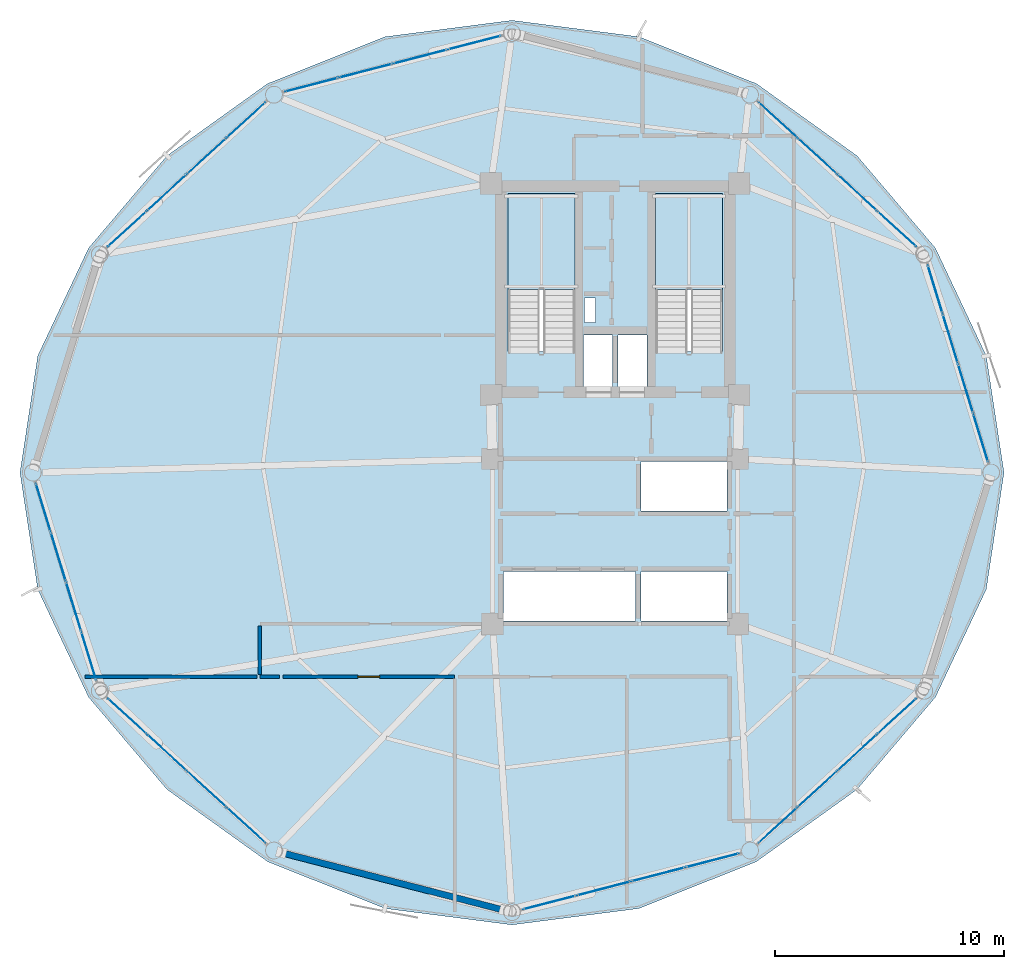
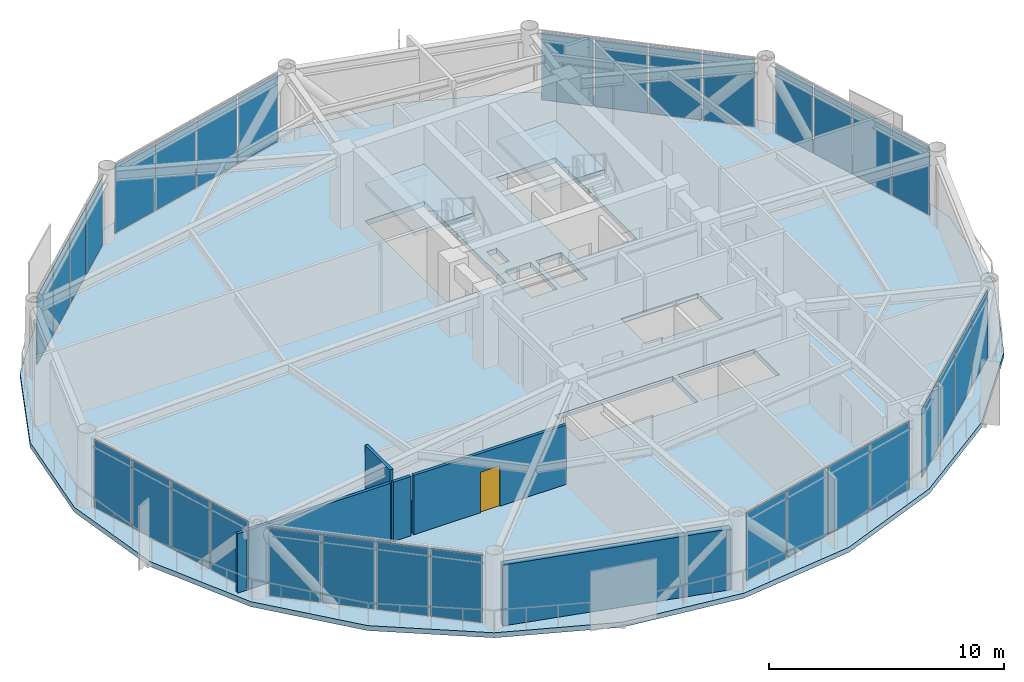
# One storey, part 21 of 27: 32 plates, 5 walls, 3 slabs, 1 door, 1 opening, 10 elements without a shape of their own.
"""IFC4 building model written with IfcOpenShell, lengths in metres."""

from ifc_helpers import new_model, si_unit, direction, frame, frame_2d, origin, origin_2d, place, context, subcontext, project, spatial, polyline, rectangle, outline, extrude, source, transform, mapped, material, layer, layer_set, type_object, type_shapes, element, fill, aggregate, save


model = new_model("IFC4")

# Units and contexts
model_context = context("Model", 3, precision=1e-05, world=origin(), true_north=direction((0.0, 1.0)))
body_context = subcontext(model_context, "Body", "Model", "MODEL_VIEW")
ifc_project = project(units=[si_unit("LENGTHUNIT", "METRE"), si_unit("AREAUNIT", "SQUARE_METRE"), si_unit("VOLUMEUNIT", "CUBIC_METRE"), si_unit("PLANEANGLEUNIT", "RADIAN"), si_unit("MASSUNIT", "GRAM", prefix="KILO")], contexts=[model_context])

# Site, building, storey
site_placement = place(None, origin())
site = spatial("IfcSite", under=ifc_project, at=site_placement, CompositionType="ELEMENT")
building_placement = place(site_placement, origin())
building = spatial("IfcBuilding", under=site, at=building_placement, Name="Varnakorn Sky Granary", CompositionType="ELEMENT")
storey_placement = place(building_placement, frame((0.0, 0.0, 142.199951171875)))
storey = spatial("IfcBuildingStorey", under=building, at=storey_placement, Name="L35", CompositionType="ELEMENT", Elevation=142.199951171875)

# Stair, slab
ifc_material_1 = material(Name="Concrete C40/50", Category="concrete")
stair_type = type_object("IfcStairType", Name="ST-MAIN-ASSEMBLY", PredefinedType="HALF_TURN_STAIR", material=ifc_material_1)
stair_1_placement = place(storey_placement, origin())
stair_1 = element("IfcStair", 1, at=stair_1_placement, inside=storey, type_object=stair_type, Name="L35 Protected Exit Stair ST-1", PredefinedType="HALF_TURN_STAIR")
ifc_layer_1 = layer(ifc_material_1, 0.199951171875, Name="Concrete C40/50")
ifc_layer_set_1 = layer_set([ifc_layer_1], Name="Concrete C40/50")
slab_type_1 = type_object("IfcSlabType", Name="ST-MAIN-LAND", PredefinedType="LANDING", material=ifc_layer_set_1)
slab_1_placement = place(storey_placement, frame((0.0, 0.0, 1.75)))
slab_1 = element("IfcSlab", 2, at=slab_1_placement, type_object=slab_type_1, Name="ST-1 landing 1", PredefinedType="LANDING", context=body_context, shape_type="SweptSolid", body=[
    extrude(outline(polyline([(1.239990234375, 8.0), (1.239990234375, 12.179931640625), (-1.669921875, 12.179931640625), (-1.669921875, 8.0), (1.239990234375, 8.0)])), origin(), (0.0, 0.0, 1.0), 0.199951171875),
])
aggregate(stair_1, [slab_1])

stair_2_placement = place(storey_placement, origin())
stair_2 = element("IfcStair", 3, at=stair_2_placement, inside=storey, type_object=stair_type, Name="L35 Protected Exit Stair ST-2", PredefinedType="HALF_TURN_STAIR")
slab_2_placement = place(storey_placement, frame((0.0, 0.0, 1.75)))
slab_2 = element("IfcSlab", 4, at=slab_2_placement, type_object=slab_type_1, Name="ST-2 landing 1", PredefinedType="LANDING", context=body_context, shape_type="SweptSolid", body=[
    extrude(outline(polyline([(7.679931640625, 8.0), (7.679931640625, 12.179931640625), (4.77001953125, 12.179931640625), (4.77001953125, 8.0), (7.679931640625, 8.0)])), origin(), (0.0, 0.0, 1.0), 0.199951171875),
])
aggregate(stair_2, [slab_2])

# Slab
ifc_material_2 = material(Name="Concrete C50/60", Category="concrete")
ifc_layer_2 = layer(ifc_material_2, 0.260009765625, Name="Concrete C50/60")
ifc_layer_set_2 = layer_set([ifc_layer_2], Name="Concrete C50/60")
slab_type_2 = type_object("IfcSlabType", Name="ST-SL-TWR-260", PredefinedType="FLOOR", material=ifc_layer_set_2)
slab_3_placement = place(storey_placement, frame((0.0, 0.0, -0.260009765625)))
element("IfcSlab", 5, at=slab_3_placement, inside=storey, type_object=slab_type_2, Name="Level L35 Structural Floor Slab", PredefinedType="FLOOR", context=body_context, shape_type="SweptSolid", body=[
    extrude(outline(polyline([(19.967041015625, 0.0), (19.192138671875, 5.095703125), (16.97412109375, 9.799072265625), (13.55224609375, 13.826171875), (9.166015625, 16.972412109375), (4.04443359375, 19.01708984375), (-1.5, 19.73291015625), (-7.04443359375, 19.01708984375), (-12.166015625, 16.972412109375), (-16.55224609375, 13.826171875), (-19.97412109375, 9.799072265625), (-22.192138671875, 5.095703125), (-22.967041015625, 0.0), (-22.192138671875, -5.095703125), (-19.97412109375, -9.799072265625), (-16.55224609375, -13.826171875), (-12.166015625, -16.972412109375), (-7.04443359375, -19.01708984375), (-1.5, -19.73291015625), (4.04443359375, -19.01708984375), (9.166015625, -16.972412109375), (13.55224609375, -13.826171875), (16.97412109375, -9.799072265625), (19.192138671875, -5.095703125), (19.967041015625, 0.0)]), holes=[polyline([(1.239990234375, 5.27490234375), (1.239990234375, 12.179931640625), (-1.669921875, 12.179931640625), (-1.669921875, 5.27490234375), (1.239990234375, 5.27490234375)]), polyline([(7.679931640625, 5.27490234375), (7.679931640625, 12.179931640625), (4.77001953125, 12.179931640625), (4.77001953125, 5.27490234375), (7.679931640625, 5.27490234375)]), polyline([(1.659912109375, 6.550048828125), (2.14990234375, 6.550048828125), (2.14990234375, 7.6201171875), (1.659912109375, 7.6201171875), (1.659912109375, 6.550048828125)]), polyline([(1.6201171875, 3.739990234375), (2.8798828125, 3.739990234375), (2.8798828125, 6.010009765625), (1.6201171875, 6.010009765625), (1.6201171875, 3.739990234375)]), polyline([(3.1201171875, 3.739990234375), (4.3798828125, 3.739990234375), (4.3798828125, 6.010009765625), (3.1201171875, 6.010009765625), (3.1201171875, 3.739990234375)]), polyline([(4.1201171875, -1.679931640625), (7.8798828125, -1.679931640625), (7.8798828125, 0.47998046875), (4.1201171875, 0.47998046875), (4.1201171875, -1.679931640625)]), polyline([(-1.8798828125, -6.47998046875), (3.8798828125, -6.47998046875), (3.8798828125, -4.320068359375), (-1.8798828125, -4.320068359375), (-1.8798828125, -6.47998046875)]), polyline([(4.1201171875, -6.47998046875), (7.8798828125, -6.47998046875), (7.8798828125, -4.320068359375), (4.1201171875, -4.320068359375), (4.1201171875, -6.47998046875)])]), origin(), (0.0, 0.0, 1.0), 0.260009765625),
])

# Curtain wall, plates
ifc_material_3 = material(Name="Anodised Bronze Aluminium Alloy 6063-T6", Category="aluminium")
ifc_layer_3 = layer(ifc_material_3, 0.179931640625, Name="Anodised Bronze Aluminium Alloy 6063-T6")
ifc_layer_set_3 = layer_set([ifc_layer_3], Name="Anodised Bronze Aluminium Alloy 6063-T6")
curtain_wall_type = type_object("IfcCurtainWallType", Name="CW-FRM-2", PredefinedType="USERDEFINED", material=ifc_layer_set_3)
curtain_wall_1_placement = place(storey_placement, origin())
curtain_wall_1 = element("IfcCurtainWall", 6, at=curtain_wall_1_placement, inside=storey, type_object=curtain_wall_type, Name="Unitised Curtain Wall CW4 CW-L35-B01", ObjectType="CURTAIN WALL", PredefinedType="USERDEFINED")
ifc_material_4 = material(Name="Opaque Insulated Aluminium Shadow-Box Unit", Category="aluminium")
ifc_layer_4 = layer(ifc_material_4, 0.02587890625, Name="Opaque Insulated Aluminium Shadow-Box Unit")
ifc_layer_set_4 = layer_set([ifc_layer_4], Name="Opaque Insulated Aluminium Shadow-Box Unit")
plate_type = type_object("IfcPlateType", Name="CW-FRM-2-PNL", PredefinedType="CURTAIN_PANEL")
shared_shape_1 = source(origin(), body_context, "Body", "SweptSolid", [
    extrude(rectangle(XDim=2.164794921875, YDim=0.02587890625, at=origin_2d()), origin(), (0.0, 0.0, 1.0), 3.510009765625),
])
plate_1_placement = place(storey_placement, frame((16.964599609375, 8.00048828125, 0.06494140625), z_axis=(0.0, 0.0, 1.0), x_axis=(0.293067941424, -0.956091617843, 0.0)))
plate_1 = element("IfcPlate", 7, at=plate_1_placement, type_object=plate_type, material=ifc_layer_set_4, Name="CW4 opaque insulated shadow-box unit 1.1", PredefinedType="CURTAIN_PANEL", context=body_context, shape_type="MappedRepresentation", body=[
    mapped(shared_shape_1, transform((0.0, 0.0, 0.0), x_axis=(1.0, 0.0, 0.0), y_axis=(0.0, 1.0, 0.0), z_axis=(0.0, 0.0, 1.0), scale=1.0)),
])
ifc_material_5 = material(Name="Low-E Tinted Laminated Glass", Category="glass")
ifc_layer_5 = layer(ifc_material_5, 0.02587890625, Name="Low-E Tinted Laminated Glass")
ifc_layer_set_5 = layer_set([ifc_layer_5], Name="Low-E Tinted Laminated Glass")
plate_2_placement = place(storey_placement, frame((18.949951171875, 1.5234375, 0.06494140625), z_axis=(0.0, 0.0, 1.0), x_axis=(0.293067941424, -0.956091617843, 0.0)))
plate_2 = element("IfcPlate", 8, at=plate_2_placement, type_object=plate_type, material=ifc_layer_set_5, Name="CW4 vision glazing unit 4.1", PredefinedType="CURTAIN_PANEL", context=body_context, shape_type="MappedRepresentation", body=[
    mapped(shared_shape_1, transform((0.0, 0.0, 0.0), x_axis=(1.0, 0.0, 0.0), y_axis=(0.0, 1.0, 0.0), z_axis=(0.0, 0.0, 1.0), scale=1.0)),
])

curtain_wall_2_placement = place(storey_placement, origin())
curtain_wall_2 = element("IfcCurtainWall", 9, at=curtain_wall_2_placement, inside=storey, type_object=curtain_wall_type, Name="Unitised Curtain Wall CW4 CW-L35-B07", ObjectType="CURTAIN WALL", PredefinedType="USERDEFINED")
plate_3_placement = place(storey_placement, frame((-19.964599609375, -8.00048828125, 0.06494140625), z_axis=(0.0, 0.0, 1.0), x_axis=(-0.293067941424, 0.956091617843, 0.0)))
plate_3 = element("IfcPlate", 10, at=plate_3_placement, type_object=plate_type, material=ifc_layer_set_4, Name="CW4 opaque insulated shadow-box unit 1.1", PredefinedType="CURTAIN_PANEL", context=body_context, shape_type="MappedRepresentation", body=[
    mapped(shared_shape_1, transform((0.0, 0.0, 0.0), x_axis=(1.0, 0.0, 0.0), y_axis=(0.0, 1.0, 0.0), z_axis=(0.0, 0.0, 1.0), scale=1.0)),
])
plate_4_placement = place(storey_placement, frame((-21.949951171875, -1.5234375, 0.06494140625), z_axis=(0.0, 0.0, 1.0), x_axis=(-0.293067941424, 0.956091617843, 0.0)))
plate_4 = element("IfcPlate", 11, at=plate_4_placement, type_object=plate_type, material=ifc_layer_set_5, Name="CW4 vision glazing unit 4.1", PredefinedType="CURTAIN_PANEL", context=body_context, shape_type="MappedRepresentation", body=[
    mapped(shared_shape_1, transform((0.0, 0.0, 0.0), x_axis=(1.0, 0.0, 0.0), y_axis=(0.0, 1.0, 0.0), z_axis=(0.0, 0.0, 1.0), scale=1.0)),
])

# Plate
shared_shape_2 = source(origin(), body_context, "Body", "SweptSolid", [
    extrude(rectangle(XDim=2.199951171875, YDim=0.02587890625, at=origin_2d()), origin(), (0.0, 0.0, 1.0), 3.510009765625),
])
plate_5_placement = place(storey_placement, frame((17.624755859375, 5.84716796875, 0.06494140625), z_axis=(0.0, 0.0, 1.0), x_axis=(0.293067941424, -0.956091617843, 0.0)))
plate_5 = element("IfcPlate", 12, at=plate_5_placement, type_object=plate_type, material=ifc_layer_set_4, Name="CW4 opaque insulated shadow-box unit 2.1", PredefinedType="CURTAIN_PANEL", context=body_context, shape_type="MappedRepresentation", body=[
    mapped(shared_shape_2, transform((0.0, 0.0, 0.0), x_axis=(1.0, 0.0, 0.0), y_axis=(0.0, 1.0, 0.0), z_axis=(0.0, 0.0, 1.0), scale=1.0)),
])

plate_6_placement = place(storey_placement, frame((18.2900390625, 3.677001953125, 0.06494140625), z_axis=(0.0, 0.0, 1.0), x_axis=(0.293067941424, -0.956091617843, 0.0)))
plate_6 = element("IfcPlate", 13, at=plate_6_placement, type_object=plate_type, material=ifc_layer_set_5, Name="CW4 vision glazing unit 3.1", PredefinedType="CURTAIN_PANEL", context=body_context, shape_type="MappedRepresentation", body=[
    mapped(shared_shape_2, transform((0.0, 0.0, 0.0), x_axis=(1.0, 0.0, 0.0), y_axis=(0.0, 1.0, 0.0), z_axis=(0.0, 0.0, 1.0), scale=1.0)),
])

aggregate(curtain_wall_1, [plate_1, plate_5, plate_6, plate_2])

plate_7_placement = place(storey_placement, frame((-20.624755859375, -5.84716796875, 0.06494140625), z_axis=(0.0, 0.0, 1.0), x_axis=(-0.293067941424, 0.956091617843, 0.0)))
plate_7 = element("IfcPlate", 14, at=plate_7_placement, type_object=plate_type, material=ifc_layer_set_4, Name="CW4 opaque insulated shadow-box unit 2.1", PredefinedType="CURTAIN_PANEL", context=body_context, shape_type="MappedRepresentation", body=[
    mapped(shared_shape_2, transform((0.0, 0.0, 0.0), x_axis=(1.0, 0.0, 0.0), y_axis=(0.0, 1.0, 0.0), z_axis=(0.0, 0.0, 1.0), scale=1.0)),
])

plate_8_placement = place(storey_placement, frame((-21.2900390625, -3.677001953125, 0.06494140625), z_axis=(0.0, 0.0, 1.0), x_axis=(-0.293067941424, 0.956091617843, 0.0)))
plate_8 = element("IfcPlate", 15, at=plate_8_placement, type_object=plate_type, material=ifc_layer_set_5, Name="CW4 vision glazing unit 3.1", PredefinedType="CURTAIN_PANEL", context=body_context, shape_type="MappedRepresentation", body=[
    mapped(shared_shape_2, transform((0.0, 0.0, 0.0), x_axis=(1.0, 0.0, 0.0), y_axis=(0.0, 1.0, 0.0), z_axis=(0.0, 0.0, 1.0), scale=1.0)),
])

aggregate(curtain_wall_2, [plate_3, plate_7, plate_8, plate_4])

# Curtain wall, plates
curtain_wall_3_placement = place(storey_placement, origin())
curtain_wall_3 = element("IfcCurtainWall", 16, at=curtain_wall_3_placement, inside=storey, type_object=curtain_wall_type, Name="Unitised Curtain Wall CW4 CW-L35-B02", ObjectType="CURTAIN WALL", PredefinedType="USERDEFINED")
shared_shape_3 = source(origin(), body_context, "Body", "SweptSolid", [
    extrude(rectangle(XDim=2.254150390625, YDim=0.02587890625, at=origin_2d()), origin(), (0.0, 0.0, 1.0), 3.510009765625),
])
plate_9_placement = place(storey_placement, frame((10.0986328125, 15.38916015625, 0.06494140625), z_axis=(0.0, 0.0, 1.0), x_axis=(0.737190649305, -0.675684798243, 0.0)))
plate_9 = element("IfcPlate", 17, at=plate_9_placement, type_object=plate_type, material=ifc_layer_set_5, Name="CW4 vision glazing unit 1.1", PredefinedType="CURTAIN_PANEL", context=body_context, shape_type="MappedRepresentation", body=[
    mapped(shared_shape_3, transform((0.0, 0.0, 0.0), x_axis=(1.0, 0.0, 0.0), y_axis=(0.0, 1.0, 0.0), z_axis=(0.0, 0.0, 1.0), scale=1.0)),
])
plate_10_placement = place(storey_placement, frame((15.2900390625, 10.630859375, 0.06494140625), z_axis=(0.0, 0.0, 1.0), x_axis=(0.737190649305, -0.675684798243, 0.0)))
plate_10 = element("IfcPlate", 18, at=plate_10_placement, type_object=plate_type, material=ifc_layer_set_4, Name="CW4 opaque insulated shadow-box unit 4.1", PredefinedType="CURTAIN_PANEL", context=body_context, shape_type="MappedRepresentation", body=[
    mapped(shared_shape_3, transform((0.0, 0.0, 0.0), x_axis=(1.0, 0.0, 0.0), y_axis=(0.0, 1.0, 0.0), z_axis=(0.0, 0.0, 1.0), scale=1.0)),
])

curtain_wall_4_placement = place(storey_placement, origin())
curtain_wall_4 = element("IfcCurtainWall", 19, at=curtain_wall_4_placement, inside=storey, type_object=curtain_wall_type, Name="Unitised Curtain Wall CW4 CW-L35-B05", ObjectType="CURTAIN WALL", PredefinedType="USERDEFINED")
plate_11_placement = place(storey_placement, frame((-18.2900390625, 10.630859375, 0.06494140625), z_axis=(0.0, 0.0, 1.0), x_axis=(0.737190649305, 0.675684798243, 0.0)))
plate_11 = element("IfcPlate", 20, at=plate_11_placement, type_object=plate_type, material=ifc_layer_set_4, Name="CW4 opaque insulated shadow-box unit 1.1", PredefinedType="CURTAIN_PANEL", context=body_context, shape_type="MappedRepresentation", body=[
    mapped(shared_shape_3, transform((0.0, 0.0, 0.0), x_axis=(1.0, 0.0, 0.0), y_axis=(0.0, 1.0, 0.0), z_axis=(0.0, 0.0, 1.0), scale=1.0)),
])
plate_12_placement = place(storey_placement, frame((-13.0986328125, 15.38916015625, 0.06494140625), z_axis=(0.0, 0.0, 1.0), x_axis=(0.737190649305, 0.675684798243, 0.0)))
plate_12 = element("IfcPlate", 21, at=plate_12_placement, type_object=plate_type, material=ifc_layer_set_5, Name="CW4 vision glazing unit 4.1", PredefinedType="CURTAIN_PANEL", context=body_context, shape_type="MappedRepresentation", body=[
    mapped(shared_shape_3, transform((0.0, 0.0, 0.0), x_axis=(1.0, 0.0, 0.0), y_axis=(0.0, 1.0, 0.0), z_axis=(0.0, 0.0, 1.0), scale=1.0)),
])

curtain_wall_5_placement = place(storey_placement, origin())
curtain_wall_5 = element("IfcCurtainWall", 22, at=curtain_wall_5_placement, inside=storey, type_object=curtain_wall_type, Name="Unitised Curtain Wall CW4 CW-L35-B08", ObjectType="CURTAIN WALL", PredefinedType="USERDEFINED")
plate_13_placement = place(storey_placement, frame((-13.0986328125, -15.38916015625, 0.06494140625), z_axis=(0.0, 0.0, 1.0), x_axis=(-0.737190649305, 0.675684798243, 0.0)))
plate_13 = element("IfcPlate", 23, at=plate_13_placement, type_object=plate_type, material=ifc_layer_set_5, Name="CW4 vision glazing unit 1.1", PredefinedType="CURTAIN_PANEL", context=body_context, shape_type="MappedRepresentation", body=[
    mapped(shared_shape_3, transform((0.0, 0.0, 0.0), x_axis=(1.0, 0.0, 0.0), y_axis=(0.0, 1.0, 0.0), z_axis=(0.0, 0.0, 1.0), scale=1.0)),
])
plate_14_placement = place(storey_placement, frame((-18.2900390625, -10.630859375, 0.06494140625), z_axis=(0.0, 0.0, 1.0), x_axis=(-0.737190649305, 0.675684798243, 0.0)))
plate_14 = element("IfcPlate", 24, at=plate_14_placement, type_object=plate_type, material=ifc_layer_set_4, Name="CW4 opaque insulated shadow-box unit 4.1", PredefinedType="CURTAIN_PANEL", context=body_context, shape_type="MappedRepresentation", body=[
    mapped(shared_shape_3, transform((0.0, 0.0, 0.0), x_axis=(1.0, 0.0, 0.0), y_axis=(0.0, 1.0, 0.0), z_axis=(0.0, 0.0, 1.0), scale=1.0)),
])

curtain_wall_6_placement = place(storey_placement, origin())
curtain_wall_6 = element("IfcCurtainWall", 25, at=curtain_wall_6_placement, inside=storey, type_object=curtain_wall_type, Name="Unitised Curtain Wall CW4 CW-L35-B11", ObjectType="CURTAIN WALL", PredefinedType="USERDEFINED")
plate_15_placement = place(storey_placement, frame((15.2900390625, -10.630859375, 0.06494140625), z_axis=(0.0, 0.0, 1.0), x_axis=(-0.737190649305, -0.675684798243, 0.0)))
plate_15 = element("IfcPlate", 26, at=plate_15_placement, type_object=plate_type, material=ifc_layer_set_4, Name="CW4 opaque insulated shadow-box unit 1.1", PredefinedType="CURTAIN_PANEL", context=body_context, shape_type="MappedRepresentation", body=[
    mapped(shared_shape_3, transform((0.0, 0.0, 0.0), x_axis=(1.0, 0.0, 0.0), y_axis=(0.0, 1.0, 0.0), z_axis=(0.0, 0.0, 1.0), scale=1.0)),
])
plate_16_placement = place(storey_placement, frame((10.0986328125, -15.38916015625, 0.06494140625), z_axis=(0.0, 0.0, 1.0), x_axis=(-0.737190649305, -0.675684798243, 0.0)))
plate_16 = element("IfcPlate", 27, at=plate_16_placement, type_object=plate_type, material=ifc_layer_set_5, Name="CW4 vision glazing unit 4.1", PredefinedType="CURTAIN_PANEL", context=body_context, shape_type="MappedRepresentation", body=[
    mapped(shared_shape_3, transform((0.0, 0.0, 0.0), x_axis=(1.0, 0.0, 0.0), y_axis=(0.0, 1.0, 0.0), z_axis=(0.0, 0.0, 1.0), scale=1.0)),
])

# Plate
shared_shape_4 = source(origin(), body_context, "Body", "SweptSolid", [
    extrude(rectangle(XDim=2.2890625, YDim=0.02587890625, at=origin_2d()), origin(), (0.0, 0.0, 1.0), 3.510009765625),
])
plate_17_placement = place(storey_placement, frame((11.82470703125, 13.80712890625, 0.06494140625), z_axis=(0.0, 0.0, 1.0), x_axis=(0.737190649305, -0.675684798243, 0.0)))
plate_17 = element("IfcPlate", 28, at=plate_17_placement, type_object=plate_type, material=ifc_layer_set_5, Name="CW4 vision glazing unit 2.1", PredefinedType="CURTAIN_PANEL", context=body_context, shape_type="MappedRepresentation", body=[
    mapped(shared_shape_4, transform((0.0, 0.0, 0.0), x_axis=(1.0, 0.0, 0.0), y_axis=(0.0, 1.0, 0.0), z_axis=(0.0, 0.0, 1.0), scale=1.0)),
])

plate_18_placement = place(storey_placement, frame((13.56396484375, 12.213134765625, 0.06494140625), z_axis=(0.0, 0.0, 1.0), x_axis=(0.737190649305, -0.675684798243, 0.0)))
plate_18 = element("IfcPlate", 29, at=plate_18_placement, type_object=plate_type, material=ifc_layer_set_4, Name="CW4 opaque insulated shadow-box unit 3.1", PredefinedType="CURTAIN_PANEL", context=body_context, shape_type="MappedRepresentation", body=[
    mapped(shared_shape_4, transform((0.0, 0.0, 0.0), x_axis=(1.0, 0.0, 0.0), y_axis=(0.0, 1.0, 0.0), z_axis=(0.0, 0.0, 1.0), scale=1.0)),
])

aggregate(curtain_wall_3, [plate_9, plate_17, plate_18, plate_10])

plate_19_placement = place(storey_placement, frame((-16.56396484375, 12.213134765625, 0.06494140625), z_axis=(0.0, 0.0, 1.0), x_axis=(0.737190649305, 0.675684798243, 0.0)))
plate_19 = element("IfcPlate", 30, at=plate_19_placement, type_object=plate_type, material=ifc_layer_set_4, Name="CW4 opaque insulated shadow-box unit 2.1", PredefinedType="CURTAIN_PANEL", context=body_context, shape_type="MappedRepresentation", body=[
    mapped(shared_shape_4, transform((0.0, 0.0, 0.0), x_axis=(1.0, 0.0, 0.0), y_axis=(0.0, 1.0, 0.0), z_axis=(0.0, 0.0, 1.0), scale=1.0)),
])

plate_20_placement = place(storey_placement, frame((-14.82470703125, 13.80712890625, 0.06494140625), z_axis=(0.0, 0.0, 1.0), x_axis=(0.737190649305, 0.675684798243, 0.0)))
plate_20 = element("IfcPlate", 31, at=plate_20_placement, type_object=plate_type, material=ifc_layer_set_5, Name="CW4 vision glazing unit 3.1", PredefinedType="CURTAIN_PANEL", context=body_context, shape_type="MappedRepresentation", body=[
    mapped(shared_shape_4, transform((0.0, 0.0, 0.0), x_axis=(1.0, 0.0, 0.0), y_axis=(0.0, 1.0, 0.0), z_axis=(0.0, 0.0, 1.0), scale=1.0)),
])

aggregate(curtain_wall_4, [plate_11, plate_19, plate_20, plate_12])

plate_21_placement = place(storey_placement, frame((-14.82470703125, -13.80712890625, 0.06494140625), z_axis=(0.0, 0.0, 1.0), x_axis=(-0.737190649305, 0.675684798243, 0.0)))
plate_21 = element("IfcPlate", 32, at=plate_21_placement, type_object=plate_type, material=ifc_layer_set_5, Name="CW4 vision glazing unit 2.1", PredefinedType="CURTAIN_PANEL", context=body_context, shape_type="MappedRepresentation", body=[
    mapped(shared_shape_4, transform((0.0, 0.0, 0.0), x_axis=(1.0, 0.0, 0.0), y_axis=(0.0, 1.0, 0.0), z_axis=(0.0, 0.0, 1.0), scale=1.0)),
])

plate_22_placement = place(storey_placement, frame((-16.56396484375, -12.213134765625, 0.06494140625), z_axis=(0.0, 0.0, 1.0), x_axis=(-0.737190649305, 0.675684798243, 0.0)))
plate_22 = element("IfcPlate", 33, at=plate_22_placement, type_object=plate_type, material=ifc_layer_set_4, Name="CW4 opaque insulated shadow-box unit 3.1", PredefinedType="CURTAIN_PANEL", context=body_context, shape_type="MappedRepresentation", body=[
    mapped(shared_shape_4, transform((0.0, 0.0, 0.0), x_axis=(1.0, 0.0, 0.0), y_axis=(0.0, 1.0, 0.0), z_axis=(0.0, 0.0, 1.0), scale=1.0)),
])

aggregate(curtain_wall_5, [plate_13, plate_21, plate_22, plate_14])

plate_23_placement = place(storey_placement, frame((13.56396484375, -12.213134765625, 0.06494140625), z_axis=(0.0, 0.0, 1.0), x_axis=(-0.737190649305, -0.675684798243, 0.0)))
plate_23 = element("IfcPlate", 34, at=plate_23_placement, type_object=plate_type, material=ifc_layer_set_4, Name="CW4 opaque insulated shadow-box unit 2.1", PredefinedType="CURTAIN_PANEL", context=body_context, shape_type="MappedRepresentation", body=[
    mapped(shared_shape_4, transform((0.0, 0.0, 0.0), x_axis=(1.0, 0.0, 0.0), y_axis=(0.0, 1.0, 0.0), z_axis=(0.0, 0.0, 1.0), scale=1.0)),
])

plate_24_placement = place(storey_placement, frame((11.82470703125, -13.80712890625, 0.06494140625), z_axis=(0.0, 0.0, 1.0), x_axis=(-0.737190649305, -0.675684798243, 0.0)))
plate_24 = element("IfcPlate", 35, at=plate_24_placement, type_object=plate_type, material=ifc_layer_set_5, Name="CW4 vision glazing unit 3.1", PredefinedType="CURTAIN_PANEL", context=body_context, shape_type="MappedRepresentation", body=[
    mapped(shared_shape_4, transform((0.0, 0.0, 0.0), x_axis=(1.0, 0.0, 0.0), y_axis=(0.0, 1.0, 0.0), z_axis=(0.0, 0.0, 1.0), scale=1.0)),
])

aggregate(curtain_wall_6, [plate_15, plate_23, plate_24, plate_16])

# Curtain wall, plates
curtain_wall_7_placement = place(storey_placement, origin())
curtain_wall_7 = element("IfcCurtainWall", 36, at=curtain_wall_7_placement, inside=storey, type_object=curtain_wall_type, Name="Unitised Curtain Wall CW4 CW-L35-B04", ObjectType="CURTAIN WALL", PredefinedType="USERDEFINED")
shared_shape_5 = source(origin(), body_context, "Body", "SweptSolid", [
    extrude(rectangle(XDim=2.357666015625, YDim=0.02587890625, at=origin_2d()), origin(), (0.0, 0.0, 1.0), 3.510009765625),
])
plate_25_placement = place(storey_placement, frame((-10.2548828125, 16.919189453125, 0.06494140625), z_axis=(0.0, 0.0, 1.0), x_axis=(0.968155905696, 0.250348042267, 0.0)))
plate_25 = element("IfcPlate", 37, at=plate_25_placement, type_object=plate_type, material=ifc_layer_set_5, Name="CW4 vision glazing unit 1.1", PredefinedType="CURTAIN_PANEL", context=body_context, shape_type="MappedRepresentation", body=[
    mapped(shared_shape_5, transform((0.0, 0.0, 0.0), x_axis=(1.0, 0.0, 0.0), y_axis=(0.0, 1.0, 0.0), z_axis=(0.0, 0.0, 1.0), scale=1.0)),
])
plate_26_placement = place(storey_placement, frame((-3.135986328125, 18.760009765625, 0.06494140625), z_axis=(0.0, 0.0, 1.0), x_axis=(0.968155905696, 0.250348042267, 0.0)))
plate_26 = element("IfcPlate", 38, at=plate_26_placement, type_object=plate_type, material=ifc_layer_set_4, Name="CW4 opaque insulated shadow-box unit 4.1", PredefinedType="CURTAIN_PANEL", context=body_context, shape_type="MappedRepresentation", body=[
    mapped(shared_shape_5, transform((0.0, 0.0, 0.0), x_axis=(1.0, 0.0, 0.0), y_axis=(0.0, 1.0, 0.0), z_axis=(0.0, 0.0, 1.0), scale=1.0)),
])

curtain_wall_8_placement = place(storey_placement, origin())
curtain_wall_8 = element("IfcCurtainWall", 39, at=curtain_wall_8_placement, inside=storey, type_object=curtain_wall_type, Name="Unitised Curtain Wall CW4 CW-L35-B10", ObjectType="CURTAIN WALL", PredefinedType="USERDEFINED")
plate_27_placement = place(storey_placement, frame((7.2548828125, -16.919189453125, 0.06494140625), z_axis=(0.0, 0.0, 1.0), x_axis=(-0.968155905696, -0.250348042267, 0.0)))
plate_27 = element("IfcPlate", 40, at=plate_27_placement, type_object=plate_type, material=ifc_layer_set_5, Name="CW4 vision glazing unit 1.1", PredefinedType="CURTAIN_PANEL", context=body_context, shape_type="MappedRepresentation", body=[
    mapped(shared_shape_5, transform((0.0, 0.0, 0.0), x_axis=(1.0, 0.0, 0.0), y_axis=(0.0, 1.0, 0.0), z_axis=(0.0, 0.0, 1.0), scale=1.0)),
])
plate_28_placement = place(storey_placement, frame((0.135986328125, -18.760009765625, 0.06494140625), z_axis=(0.0, 0.0, 1.0), x_axis=(-0.968155905696, -0.250348042267, 0.0)))
plate_28 = element("IfcPlate", 41, at=plate_28_placement, type_object=plate_type, material=ifc_layer_set_4, Name="CW4 opaque insulated shadow-box unit 4.1", PredefinedType="CURTAIN_PANEL", context=body_context, shape_type="MappedRepresentation", body=[
    mapped(shared_shape_5, transform((0.0, 0.0, 0.0), x_axis=(1.0, 0.0, 0.0), y_axis=(0.0, 1.0, 0.0), z_axis=(0.0, 0.0, 1.0), scale=1.0)),
])

# Plate
shared_shape_6 = source(origin(), body_context, "Body", "SweptSolid", [
    extrude(rectangle(XDim=2.392578125, YDim=0.02587890625, at=origin_2d()), origin(), (0.0, 0.0, 1.0), 3.510009765625),
])
type_shapes(plate_type, [shared_shape_1, shared_shape_2, shared_shape_3, shared_shape_4, shared_shape_5, shared_shape_6])
plate_29_placement = place(storey_placement, frame((-7.8876953125, 17.53125, 0.06494140625), z_axis=(0.0, 0.0, 1.0), x_axis=(0.968155905696, 0.250348042267, 0.0)))
plate_29 = element("IfcPlate", 42, at=plate_29_placement, type_object=plate_type, material=ifc_layer_set_5, Name="CW4 vision glazing unit 2.1", PredefinedType="CURTAIN_PANEL", context=body_context, shape_type="MappedRepresentation", body=[
    mapped(shared_shape_6, transform((0.0, 0.0, 0.0), x_axis=(1.0, 0.0, 0.0), y_axis=(0.0, 1.0, 0.0), z_axis=(0.0, 0.0, 1.0), scale=1.0)),
])

plate_30_placement = place(storey_placement, frame((-5.50341796875, 18.147705078125, 0.06494140625), z_axis=(0.0, 0.0, 1.0), x_axis=(0.968155905696, 0.250348042267, 0.0)))
plate_30 = element("IfcPlate", 43, at=plate_30_placement, type_object=plate_type, material=ifc_layer_set_4, Name="CW4 opaque insulated shadow-box unit 3.1", PredefinedType="CURTAIN_PANEL", context=body_context, shape_type="MappedRepresentation", body=[
    mapped(shared_shape_6, transform((0.0, 0.0, 0.0), x_axis=(1.0, 0.0, 0.0), y_axis=(0.0, 1.0, 0.0), z_axis=(0.0, 0.0, 1.0), scale=1.0)),
])

aggregate(curtain_wall_7, [plate_25, plate_29, plate_30, plate_26])

plate_31_placement = place(storey_placement, frame((4.8876953125, -17.53125, 0.06494140625), z_axis=(0.0, 0.0, 1.0), x_axis=(-0.968155905696, -0.250348042267, 0.0)))
plate_31 = element("IfcPlate", 44, at=plate_31_placement, type_object=plate_type, material=ifc_layer_set_5, Name="CW4 vision glazing unit 2.1", PredefinedType="CURTAIN_PANEL", context=body_context, shape_type="MappedRepresentation", body=[
    mapped(shared_shape_6, transform((0.0, 0.0, 0.0), x_axis=(1.0, 0.0, 0.0), y_axis=(0.0, 1.0, 0.0), z_axis=(0.0, 0.0, 1.0), scale=1.0)),
])

plate_32_placement = place(storey_placement, frame((2.50341796875, -18.147705078125, 0.06494140625), z_axis=(0.0, 0.0, 1.0), x_axis=(-0.968155905696, -0.250348042267, 0.0)))
plate_32 = element("IfcPlate", 45, at=plate_32_placement, type_object=plate_type, material=ifc_layer_set_4, Name="CW4 opaque insulated shadow-box unit 3.1", PredefinedType="CURTAIN_PANEL", context=body_context, shape_type="MappedRepresentation", body=[
    mapped(shared_shape_6, transform((0.0, 0.0, 0.0), x_axis=(1.0, 0.0, 0.0), y_axis=(0.0, 1.0, 0.0), z_axis=(0.0, 0.0, 1.0), scale=1.0)),
])

aggregate(curtain_wall_8, [plate_27, plate_31, plate_32, plate_28])

# Wall
ifc_material_6 = material(Name="Precast concrete C40/50", Category="concrete")
ifc_layer_6 = layer(ifc_material_6, 0.280029296875, Name="Precast concrete C40/50")
ifc_layer_set_6 = layer_set([ifc_layer_6], Name="Precast concrete C40/50")
wall_type_1 = type_object("IfcWallType", Name="WT-EW-CRN-280", PredefinedType="SOLIDWALL", material=ifc_layer_set_6)
wall_1_placement = place(storey_placement, frame((-1.8251953125, -19.098876953125, 0.0), z_axis=(0.0, 0.0, 1.0), x_axis=(-0.968153909187, 0.250355763117, 0.0)))
element("IfcWall", 46, at=wall_1_placement, inside=storey, type_object=wall_type_1, Name="Agritech Insulated Precast Facade Wall L35-P09", PredefinedType="SOLIDWALL", context=body_context, shape_type="SweptSolid", body=[
    extrude(rectangle(XDim=10.060791015625, YDim=0.280029296875, at=frame_2d((5.0302734375, 0.0))), origin(), (0.0, 0.0, 1.0), 3.16015625),
])

# Wall, opening, door
ifc_material_7 = material(Name="Gypsum Plasterboard on Steel Stud", Category="steel")
ifc_layer_7 = layer(ifc_material_7, 0.14990234375, Name="Gypsum Plasterboard on Steel Stud")
ifc_layer_set_7 = layer_set([ifc_layer_7], Name="Gypsum Plasterboard on Steel Stud")
wall_type_2 = type_object("IfcWallType", Name="WT-PART-150", PredefinedType="PARTITIONING", material=ifc_layer_set_7)
wall_2_placement = place(storey_placement, frame((-11.5, -8.89990234375, 0.0), z_axis=(0.0, 0.0, 1.0), x_axis=(1.0, 0.0, 0.0)))
wall_2 = element("IfcWall", 47, at=wall_2_placement, inside=storey, type_object=wall_type_2, Name="Interior Partition Wall L35-021", PredefinedType="PARTITIONING", context=body_context, shape_type="SweptSolid", body=[
    extrude(rectangle(XDim=7.5, YDim=0.14990234375, at=frame_2d((3.75, 0.0))), origin(), (0.0, 0.0, 1.0), 3.072021484375),
])
opening_placement = place(wall_2_placement, frame((3.27490234375, 0.0, 0.0)))
opening = element("IfcOpeningElement", 48, at=opening_placement, cuts=wall_2, Name="Opening ID-95", PredefinedType="OPENING", context=body_context, shape_type="SweptSolid", body=[
    extrude(rectangle(XDim=0.949951171875, YDim=2.10009765625, at=frame_2d((0.47509765625, 1.050048828125))), frame((0.0, 0.0849609375, 0.0), z_axis=(0.0, -1.0, 0.0), x_axis=(1.0, 0.0, 0.0)), (0.0, 0.0, 1.0), 0.169921875),
])
ifc_material_8 = material(Name="Solid-Core Teak Veneer Leaf", Category="timber")
door_type = type_object("IfcDoorType", Name="DR-INT-950", OperationType="NOTDEFINED", PredefinedType="DOOR", material=ifc_material_8)
door_placement = place(opening_placement, origin())
door = element("IfcDoor", 49, at=door_placement, inside=storey, type_object=door_type, Name="Interior Door L35-021-1", OperationType="SINGLE_SWING_RIGHT", OverallHeight=2.10009765625, OverallWidth=0.949951171875, PredefinedType="DOOR", context=body_context, shape_type="SweptSolid", body=[
    extrude(rectangle(XDim=0.949951171875, YDim=2.10009765625, at=frame_2d((0.47509765625, 1.050048828125))), frame((0.0, 0.02490234375, 0.0), z_axis=(0.0, -1.0, 0.0), x_axis=(1.0, 0.0, 0.0)), (0.0, 0.0, 1.0), 0.050048828125),
])
fill(opening, door)

# Walls
wall_3_placement = place(storey_placement, frame((-12.5, -8.89990234375, 0.0), z_axis=(0.0, 0.0, 1.0), x_axis=(1.0, 0.0, 0.0)))
element("IfcWall", 50, at=wall_3_placement, inside=storey, type_object=wall_type_2, Name="Interior Partition Wall L35-034", PredefinedType="PARTITIONING", context=body_context, shape_type="SweptSolid", body=[
    extrude(rectangle(XDim=0.864990234375, YDim=0.14990234375, at=frame_2d((0.4326171875, 0.0))), origin(), (0.0, 0.0, 1.0), 3.072021484375),
])
wall_4_placement = place(storey_placement, frame((-20.134033203125, -8.89990234375, 0.0), z_axis=(0.0, 0.0, 1.0), x_axis=(1.0, 0.0, 0.0)))
element("IfcWall", 51, at=wall_4_placement, inside=storey, type_object=wall_type_2, Name="Interior Partition Wall L35-036", PredefinedType="PARTITIONING", context=body_context, shape_type="SweptSolid", body=[
    extrude(rectangle(XDim=7.4990234375, YDim=0.14990234375, at=frame_2d((3.74951171875, 0.0))), origin(), (0.0, 0.0, 1.0), 3.072021484375),
])
wall_5_placement = place(storey_placement, frame((-12.5, -6.68505859375, 0.0), z_axis=(0.0, 0.0, 1.0), x_axis=(0.0, -1.0, 0.0)))
element("IfcWall", 52, at=wall_5_placement, inside=storey, type_object=wall_type_2, Name="Interior Partition Wall L35-042", PredefinedType="PARTITIONING", context=body_context, shape_type="SweptSolid", body=[
    extrude(rectangle(XDim=2.1298828125, YDim=0.14990234375, at=frame_2d((1.06494140625, 0.0))), origin(), (0.0, 0.0, 1.0), 3.64013671875),
])

save(model, "model.ifc")
